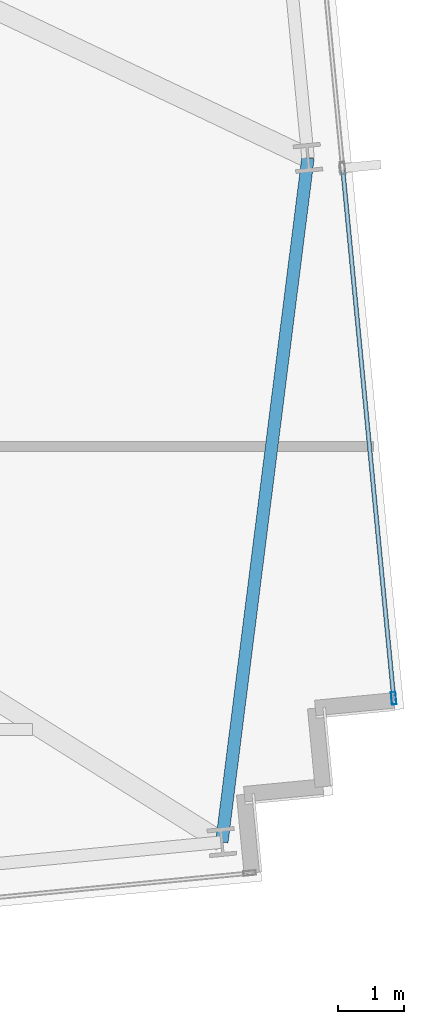
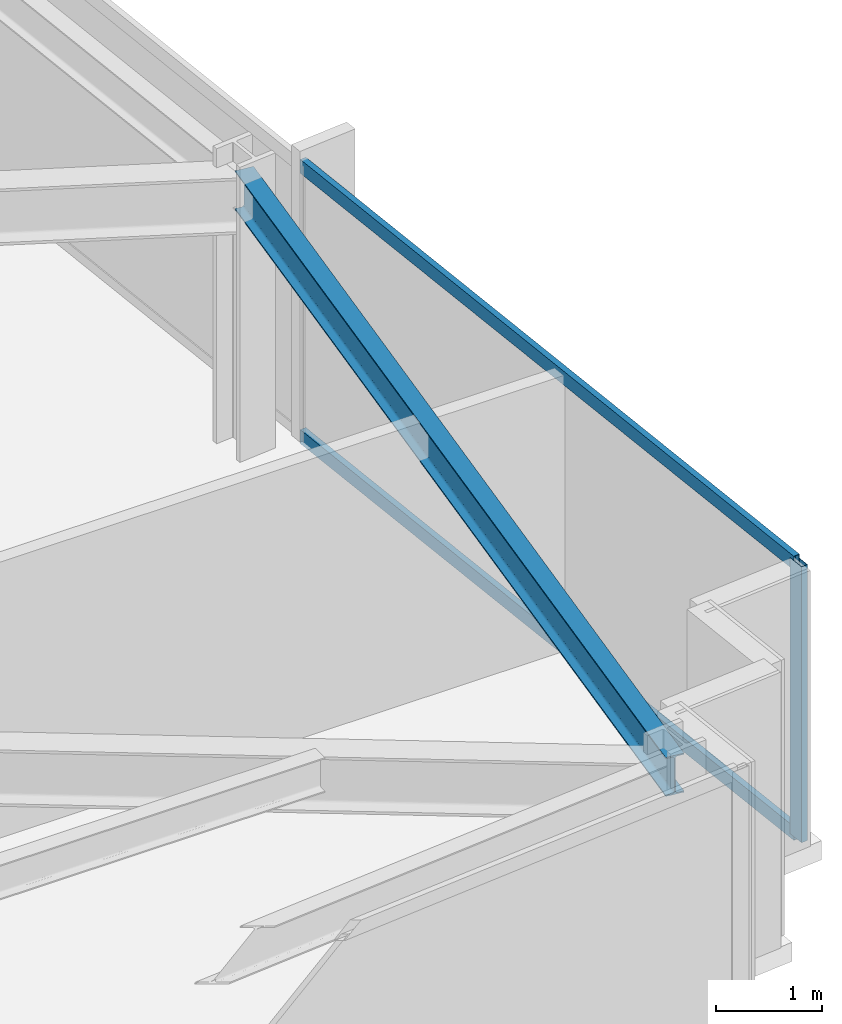
# One storey, part 14 of 33: 3 members, 1 beam, 1 element without a shape of its own.
"""IFC4 building model written with IfcOpenShell, lengths in metres."""

from ifc_helpers import new_model, si_unit, direction, frame, origin, origin_2d, place, context, subcontext, project, spatial, hollow_rectangle, i_section, extrude, material, material_profile, profile_set, type_object, element, aggregate, save


model = new_model("IFC4")

# Units and contexts
model_context = context("Model", 3, precision=1e-05, world=origin(), true_north=direction((0.0, 1.0)))
body_context = subcontext(model_context, "Body", "Model", "MODEL_VIEW")
ifc_project = project(units=[si_unit("LENGTHUNIT", "METRE"), si_unit("AREAUNIT", "SQUARE_METRE"), si_unit("VOLUMEUNIT", "CUBIC_METRE"), si_unit("PLANEANGLEUNIT", "RADIAN"), si_unit("MASSUNIT", "GRAM", prefix="KILO")], contexts=[model_context])

# Site, building, storey
site_placement = place(None, origin())
site = spatial("IfcSite", under=ifc_project, at=site_placement, CompositionType="ELEMENT")
building_placement = place(site_placement, origin())
building = spatial("IfcBuilding", under=site, at=building_placement, Name="Yelkora Congress Tower", CompositionType="ELEMENT")
storey_placement = place(building_placement, frame((0.0, 0.0, 123.699951171875)))
storey = spatial("IfcBuildingStorey", under=building, at=storey_placement, Name="L33", CompositionType="ELEMENT", Elevation=123.699951171875)

# Beam
ifc_material_1 = material(Name="Steel S355J2", Category="steel")
ifc_material_profile_1 = material_profile(ifc_material_1, i_section(OverallWidth=0.18994140625, OverallDepth=0.449951171875, WebThickness=0.009521484375, FlangeThickness=0.0146484375, FilletRadius=0.02099609375, at=origin_2d()), Name="IPE 450")
ifc_profile_set_1 = profile_set([ifc_material_profile_1], Name="Steel S355J2")
beam_type = type_object("IfcBeamType", Name="BM-SPAN-IPE450", PredefinedType="SPANDREL", material=ifc_profile_set_1)
beam_placement = place(storey_placement, frame((74.73193359375, 14.43505859375, 2.955078125), z_axis=(0.124929198684, 0.99216565921, 0.0), x_axis=(-0.99216565921, 0.124929198684, 0.0)))
element("IfcBeam", 1, at=beam_placement, inside=storey, type_object=beam_type, Name="L33 Perimeter Beam 10", PredefinedType="SPANDREL", context=body_context, shape_type="SweptSolid", body=[
    extrude(i_section(OverallWidth=0.18994140625, OverallDepth=0.449951171875, WebThickness=0.009521484375, FlangeThickness=0.0146484375, FilletRadius=0.02099609375, at=origin_2d()), origin(), (0.0, 0.0, 1.0), 10.48046875),
])

# Curtain wall, members
ifc_material_2 = material(Name="Anodised aluminium and insulated glass", Category="aluminium")
curtain_wall_type = type_object("IfcCurtainWallType", Name="CW-SYS-B2", PredefinedType="NOTDEFINED", material=ifc_material_2)
curtain_wall_placement = place(storey_placement, origin())
curtain_wall = element("IfcCurtainWall", 2, at=curtain_wall_placement, inside=storey, type_object=curtain_wall_type, Name="L33 Unitised Curtain Wall 15", PredefinedType="NOTDEFINED")
ifc_material_3 = material(Name="Anodised aluminium 6063-T6", Category="aluminium")
ifc_material_profile_2 = material_profile(ifc_material_3, hollow_rectangle(XDim=0.070068359375, YDim=0.18994140625, WallThickness=0.00390625, at=origin_2d()), Name="ALU 70x190x4")
ifc_profile_set_2 = profile_set([ifc_material_profile_2], Name="Anodised aluminium 6063-T6")
member_type_1 = type_object("IfcMemberType", Name="MEM-ML-B2", PredefinedType="MULLION", material=ifc_profile_set_2)
member_1_placement = place(storey_placement, frame((77.34423828125, 16.62060546875, 0.0), z_axis=(0.0, 0.0, 1.0), x_axis=(0.995396507508, 0.095842541913, 0.0)))
member_1 = element("IfcMember", 3, at=member_1_placement, type_object=member_type_1, Name="CW-B2 mullion 5", PredefinedType="MULLION", context=body_context, shape_type="SweptSolid", body=[
    extrude(hollow_rectangle(XDim=0.070068359375, YDim=0.18994140625, WallThickness=0.00390625, at=origin_2d()), origin(), (0.0, 0.0, 1.0), 3.179931640625),
])
ifc_material_profile_3 = material_profile(ifc_material_3, hollow_rectangle(XDim=0.06494140625, YDim=0.159912109375, WallThickness=0.00390625, at=origin_2d()), Name="ALU 65x160x4")
ifc_profile_set_3 = profile_set([ifc_material_profile_3], Name="Anodised aluminium 6063-T6")
member_type_2 = type_object("IfcMemberType", Name="MEM-TR-B2", PredefinedType="USERDEFINED", material=ifc_profile_set_3)
member_2_placement = place(storey_placement, frame((76.57177734375, 24.6435546875, 0.032470703125), z_axis=(0.095858482834, -0.995394972495, 0.0), x_axis=(0.995394972495, 0.095858482834, 0.0)))
member_2 = element("IfcMember", 4, at=member_2_placement, type_object=member_type_2, Name="CW-B2 transom 4.1", ObjectType="TRANSOM", PredefinedType="USERDEFINED", context=body_context, shape_type="SweptSolid", body=[
    extrude(hollow_rectangle(XDim=0.06494140625, YDim=0.159912109375, WallThickness=0.00390625, at=origin_2d()), origin(), (0.0, 0.0, 1.0), 8.025146484375),
])
member_3_placement = place(storey_placement, frame((76.57177734375, 24.6435546875, 3.1474609375), z_axis=(0.095858482834, -0.995394972495, 0.0), x_axis=(0.995394972495, 0.095858482834, 0.0)))
member_3 = element("IfcMember", 5, at=member_3_placement, type_object=member_type_2, Name="CW-B2 transom 4.2", ObjectType="TRANSOM", PredefinedType="USERDEFINED", context=body_context, shape_type="SweptSolid", body=[
    extrude(hollow_rectangle(XDim=0.06494140625, YDim=0.159912109375, WallThickness=0.00390625, at=origin_2d()), origin(), (0.0, 0.0, 1.0), 8.025146484375),
])
aggregate(curtain_wall, [member_1, member_2, member_3])

save(model, "model.ifc")
